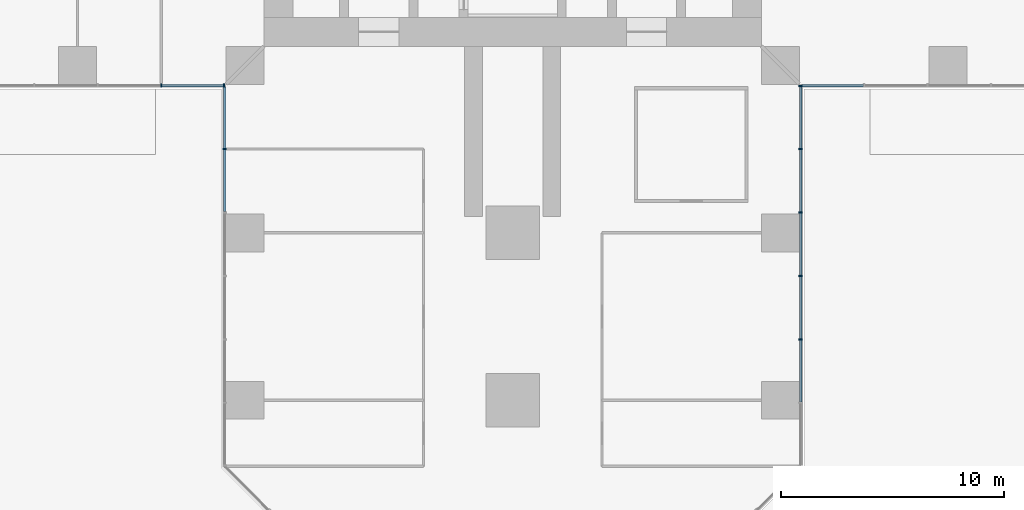
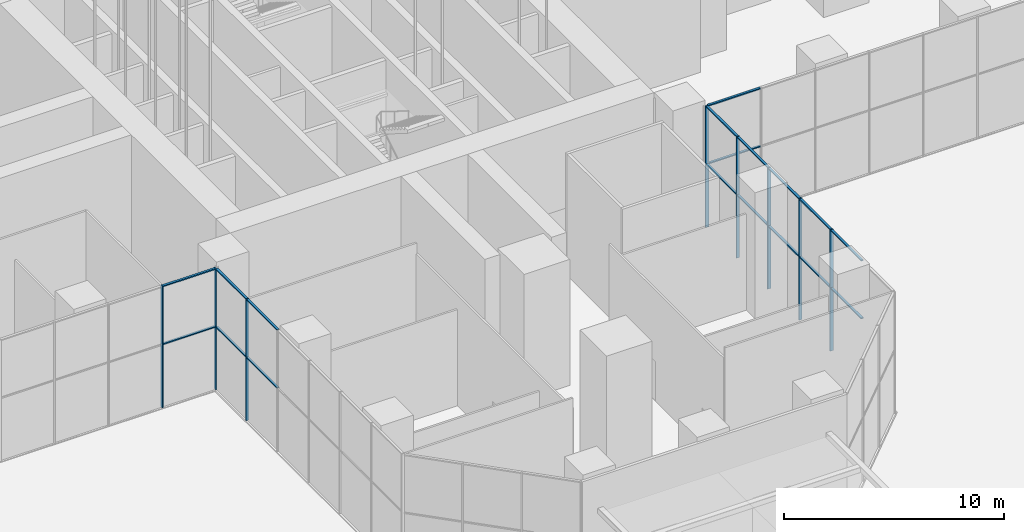
# One storey, part 6 of 43: 26 members, 4 elements without a shape of their own.
"""IFC4 building model written with IfcOpenShell, lengths in metres."""

from ifc_helpers import new_model, si_unit, direction, frame, origin, origin_2d, place, context, subcontext, project, spatial, rectangle, extrude, material, material_profile, profile_set, type_object, element, aggregate, save


model = new_model("IFC4")

# Units and contexts
model_context = context("Model", 3, precision=1e-05, world=origin(), true_north=direction((0.0, 1.0)))
body_context = subcontext(model_context, "Body", "Model", "MODEL_VIEW")
ifc_project = project(units=[si_unit("LENGTHUNIT", "METRE"), si_unit("AREAUNIT", "SQUARE_METRE"), si_unit("VOLUMEUNIT", "CUBIC_METRE"), si_unit("PLANEANGLEUNIT", "RADIAN"), si_unit("MASSUNIT", "GRAM", prefix="KILO")], contexts=[model_context])

# Site, building, storey
site_placement = place(None, origin())
site = spatial("IfcSite", under=ifc_project, at=site_placement, CompositionType="ELEMENT")
building_placement = place(site_placement, origin())
building = spatial("IfcBuilding", under=site, at=building_placement, Name="Mizan Broadcast Tower", CompositionType="ELEMENT")
storey_placement = place(building_placement, origin())
storey = spatial("IfcBuildingStorey", under=building, at=storey_placement, Name="L00", CompositionType="ELEMENT", Elevation=0.0)

# Curtain wall, members
ifc_material_1 = material(Name="Aluminium framed glazing", Category="aluminium")
curtain_wall_type_1 = type_object("IfcCurtainWallType", Name="PODIUM CURTAIN WALL", PredefinedType="USERDEFINED", material=ifc_material_1)
curtain_wall_1_placement = place(storey_placement, origin())
curtain_wall_1 = element("IfcCurtainWall", 1, at=curtain_wall_1_placement, inside=storey, type_object=curtain_wall_type_1, Name="Podium curtain wall L00 W side", ObjectType="PODIUM CURTAIN WALL", PredefinedType="USERDEFINED")
ifc_material_2 = material(Name="Aluminium, pale anodised", Category="aluminium")
ifc_material_profile_1 = material_profile(ifc_material_2, rectangle(XDim=0.159912109375, YDim=0.06005859375, at=origin_2d()), Name="MULLION 160x60")
ifc_profile_set_1 = profile_set([ifc_material_profile_1], Name="Aluminium, pale anodised")
member_type_1 = type_object("IfcMemberType", Name="INNER SKIN MULLION 60x160", PredefinedType="MULLION", material=ifc_profile_set_1)
member_1_placement = place(storey_placement, frame((-15.7431640625, -12.89990234375, 0.0), z_axis=(0.0, 0.0, 1.0), x_axis=(0.0, 1.0, 0.0)))
member_1 = element("IfcMember", 2, at=member_1_placement, type_object=member_type_1, Name="Podium curtain wall L00 W side mullion 6", PredefinedType="MULLION", context=body_context, shape_type="SweptSolid", body=[
    extrude(rectangle(XDim=0.159912109375, YDim=0.06005859375, at=origin_2d()), origin(), (0.0, 0.0, 1.0), 6.75),
])
member_2_placement = place(storey_placement, frame((-12.929931640625, -12.89990234375, 0.0), z_axis=(0.0, 0.0, 1.0), x_axis=(0.0, 1.0, 0.0)))
member_2 = element("IfcMember", 3, at=member_2_placement, type_object=member_type_1, Name="Podium curtain wall L00 W side mullion 7", PredefinedType="MULLION", context=body_context, shape_type="SweptSolid", body=[
    extrude(rectangle(XDim=0.159912109375, YDim=0.06005859375, at=origin_2d()), origin(), (0.0, 0.0, 1.0), 6.75),
])

# Curtain wall, member
ifc_material_3 = material(Name="Aluminium framed glazing", Category="aluminium")
curtain_wall_type_2 = type_object("IfcCurtainWallType", Name="ENTRANCE CW", PredefinedType="USERDEFINED", material=ifc_material_3)
curtain_wall_2_placement = place(storey_placement, origin())
curtain_wall_2 = element("IfcCurtainWall", 4, at=curtain_wall_2_placement, inside=storey, type_object=curtain_wall_type_2, Name="Entrance cw L00 S side", ObjectType="ENTRANCE CW", PredefinedType="USERDEFINED")
member_3_placement = place(storey_placement, frame((-12.89990234375, -15.7431640625, 0.0), z_axis=(0.0, 0.0, 1.0), x_axis=(1.0, 0.0, 0.0)))
member_3 = element("IfcMember", 5, at=member_3_placement, type_object=member_type_1, Name="Entrance cw L00 S side mullion 2", PredefinedType="MULLION", context=body_context, shape_type="SweptSolid", body=[
    extrude(rectangle(XDim=0.159912109375, YDim=0.06005859375, at=origin_2d()), origin(), (0.0, 0.0, 1.0), 6.75),
])

# Curtain wall, members
curtain_wall_3_placement = place(storey_placement, origin())
curtain_wall_3 = element("IfcCurtainWall", 6, at=curtain_wall_3_placement, inside=storey, type_object=curtain_wall_type_2, Name="Entrance cw L00 S side", ObjectType="ENTRANCE CW", PredefinedType="USERDEFINED")
member_4_placement = place(storey_placement, frame((12.89990234375, -24.2724609375, 0.0), z_axis=(0.0, 0.0, 1.0), x_axis=(-1.0, 0.0, 0.0)))
member_4 = element("IfcMember", 7, at=member_4_placement, type_object=member_type_1, Name="Entrance cw L00 S side mullion 3", PredefinedType="MULLION", context=body_context, shape_type="SweptSolid", body=[
    extrude(rectangle(XDim=0.159912109375, YDim=0.06005859375, at=origin_2d()), origin(), (0.0, 0.0, 1.0), 6.75),
])
member_5_placement = place(storey_placement, frame((12.89990234375, -21.42919921875, 0.0), z_axis=(0.0, 0.0, 1.0), x_axis=(-1.0, 0.0, 0.0)))
member_5 = element("IfcMember", 8, at=member_5_placement, type_object=member_type_1, Name="Entrance cw L00 S side mullion 4", PredefinedType="MULLION", context=body_context, shape_type="SweptSolid", body=[
    extrude(rectangle(XDim=0.159912109375, YDim=0.06005859375, at=origin_2d()), origin(), (0.0, 0.0, 1.0), 6.75),
])
member_6_placement = place(storey_placement, frame((12.89990234375, -18.586181640625, 0.0), z_axis=(0.0, 0.0, 1.0), x_axis=(-1.0, 0.0, 0.0)))
member_6 = element("IfcMember", 9, at=member_6_placement, type_object=member_type_1, Name="Entrance cw L00 S side mullion 5", PredefinedType="MULLION", context=body_context, shape_type="SweptSolid", body=[
    extrude(rectangle(XDim=0.159912109375, YDim=0.06005859375, at=origin_2d()), origin(), (0.0, 0.0, 1.0), 6.75),
])
member_7_placement = place(storey_placement, frame((12.89990234375, -15.7431640625, 0.0), z_axis=(0.0, 0.0, 1.0), x_axis=(-1.0, 0.0, 0.0)))
member_7 = element("IfcMember", 10, at=member_7_placement, type_object=member_type_1, Name="Entrance cw L00 S side mullion 6", PredefinedType="MULLION", context=body_context, shape_type="SweptSolid", body=[
    extrude(rectangle(XDim=0.159912109375, YDim=0.06005859375, at=origin_2d()), origin(), (0.0, 0.0, 1.0), 6.75),
])
member_8_placement = place(storey_placement, frame((12.89990234375, -12.929931640625, 0.0), z_axis=(0.0, 0.0, 1.0), x_axis=(-1.0, 0.0, 0.0)))
member_8 = element("IfcMember", 11, at=member_8_placement, type_object=member_type_1, Name="Entrance cw L00 S side mullion 7", PredefinedType="MULLION", context=body_context, shape_type="SweptSolid", body=[
    extrude(rectangle(XDim=0.159912109375, YDim=0.06005859375, at=origin_2d()), origin(), (0.0, 0.0, 1.0), 6.75),
])

curtain_wall_4_placement = place(storey_placement, origin())
curtain_wall_4 = element("IfcCurtainWall", 12, at=curtain_wall_4_placement, inside=storey, type_object=curtain_wall_type_1, Name="Podium curtain wall L00 E side", ObjectType="PODIUM CURTAIN WALL", PredefinedType="USERDEFINED")
ifc_material_4 = material(Name="Aluminium, pale anodised", Category="aluminium")
ifc_material_profile_2 = material_profile(ifc_material_4, rectangle(XDim=0.1201171875, YDim=0.06005859375, at=origin_2d()), Name="TRANSOM 120x60")
ifc_profile_set_2 = profile_set([ifc_material_profile_2], Name="Aluminium, pale anodised")
member_type_2 = type_object("IfcMemberType", Name="INNER SKIN TRANSOM 60x120", PredefinedType="USERDEFINED", material=ifc_profile_set_2)
member_9_placement = place(storey_placement, frame((12.9599609375, -12.89990234375, 3.5), z_axis=(1.0, 0.0, 0.0), x_axis=(0.0, 1.0, 0.0)))
member_9 = element("IfcMember", 13, at=member_9_placement, type_object=member_type_2, Name="Podium curtain wall L00 E side transom 1.1", ObjectType="TRANSOM", PredefinedType="USERDEFINED", context=body_context, shape_type="SweptSolid", body=[
    extrude(rectangle(XDim=0.1201171875, YDim=0.06005859375, at=origin_2d()), origin(), (0.0, 0.0, 1.0), 2.753173828125),
])
member_10_placement = place(storey_placement, frame((12.9599609375, -12.89990234375, 6.719970703125), z_axis=(1.0, 0.0, 0.0), x_axis=(0.0, 1.0, 0.0)))
member_10 = element("IfcMember", 14, at=member_10_placement, type_object=member_type_2, Name="Podium curtain wall L00 E side transom 1.2", ObjectType="TRANSOM", PredefinedType="USERDEFINED", context=body_context, shape_type="SweptSolid", body=[
    extrude(rectangle(XDim=0.1201171875, YDim=0.06005859375, at=origin_2d()), origin(), (0.0, 0.0, 1.0), 2.753173828125),
])
aggregate(curtain_wall_4, [member_9, member_10])

# Member
member_11_placement = place(storey_placement, frame((-15.713134765625, -12.89990234375, 3.5), z_axis=(1.0, 0.0, 0.0), x_axis=(0.0, 1.0, 0.0)))
member_11 = element("IfcMember", 15, at=member_11_placement, type_object=member_type_2, Name="Podium curtain wall L00 W side transom 6.1", ObjectType="TRANSOM", PredefinedType="USERDEFINED", context=body_context, shape_type="SweptSolid", body=[
    extrude(rectangle(XDim=0.1201171875, YDim=0.06005859375, at=origin_2d()), origin(), (0.0, 0.0, 1.0), 2.753173828125),
])

member_12_placement = place(storey_placement, frame((-15.713134765625, -12.89990234375, 6.719970703125), z_axis=(1.0, 0.0, 0.0), x_axis=(0.0, 1.0, 0.0)))
member_12 = element("IfcMember", 16, at=member_12_placement, type_object=member_type_2, Name="Podium curtain wall L00 W side transom 6.2", ObjectType="TRANSOM", PredefinedType="USERDEFINED", context=body_context, shape_type="SweptSolid", body=[
    extrude(rectangle(XDim=0.1201171875, YDim=0.06005859375, at=origin_2d()), origin(), (0.0, 0.0, 1.0), 2.753173828125),
])

aggregate(curtain_wall_1, [member_1, member_2, member_11, member_12])

member_13_placement = place(storey_placement, frame((-12.89990234375, -12.9599609375, 3.5), z_axis=(0.0, -1.0, 0.0), x_axis=(1.0, 0.0, 0.0)))
member_13 = element("IfcMember", 17, at=member_13_placement, type_object=member_type_2, Name="Entrance cw L00 S side transom 1.1", ObjectType="TRANSOM", PredefinedType="USERDEFINED", context=body_context, shape_type="SweptSolid", body=[
    extrude(rectangle(XDim=0.1201171875, YDim=0.06005859375, at=origin_2d()), origin(), (0.0, 0.0, 1.0), 2.753173828125),
])

member_14_placement = place(storey_placement, frame((-12.89990234375, -12.9599609375, 6.719970703125), z_axis=(0.0, -1.0, 0.0), x_axis=(1.0, 0.0, 0.0)))
member_14 = element("IfcMember", 18, at=member_14_placement, type_object=member_type_2, Name="Entrance cw L00 S side transom 1.2", ObjectType="TRANSOM", PredefinedType="USERDEFINED", context=body_context, shape_type="SweptSolid", body=[
    extrude(rectangle(XDim=0.1201171875, YDim=0.06005859375, at=origin_2d()), origin(), (0.0, 0.0, 1.0), 2.753173828125),
])

member_15_placement = place(storey_placement, frame((-12.89990234375, -15.773193359375, 3.5), z_axis=(0.0, -1.0, 0.0), x_axis=(1.0, 0.0, 0.0)))
member_15 = element("IfcMember", 19, at=member_15_placement, type_object=member_type_2, Name="Entrance cw L00 S side transom 2.1", ObjectType="TRANSOM", PredefinedType="USERDEFINED", context=body_context, shape_type="SweptSolid", body=[
    extrude(rectangle(XDim=0.1201171875, YDim=0.06005859375, at=origin_2d()), origin(), (0.0, 0.0, 1.0), 2.782958984375),
])

member_16_placement = place(storey_placement, frame((-12.89990234375, -15.773193359375, 6.719970703125), z_axis=(0.0, -1.0, 0.0), x_axis=(1.0, 0.0, 0.0)))
member_16 = element("IfcMember", 20, at=member_16_placement, type_object=member_type_2, Name="Entrance cw L00 S side transom 2.2", ObjectType="TRANSOM", PredefinedType="USERDEFINED", context=body_context, shape_type="SweptSolid", body=[
    extrude(rectangle(XDim=0.1201171875, YDim=0.06005859375, at=origin_2d()), origin(), (0.0, 0.0, 1.0), 2.782958984375),
])

aggregate(curtain_wall_2, [member_3, member_13, member_14, member_15, member_16])

member_17_placement = place(storey_placement, frame((12.89990234375, -27.08544921875, 3.5), z_axis=(0.0, 1.0, 0.0), x_axis=(-1.0, 0.0, 0.0)))
member_17 = element("IfcMember", 21, at=member_17_placement, type_object=member_type_2, Name="Entrance cw L00 S side transom 2.1", ObjectType="TRANSOM", PredefinedType="USERDEFINED", context=body_context, shape_type="SweptSolid", body=[
    extrude(rectangle(XDim=0.1201171875, YDim=0.06005859375, at=origin_2d()), origin(), (0.0, 0.0, 1.0), 2.782958984375),
])

member_18_placement = place(storey_placement, frame((12.89990234375, -27.08544921875, 6.719970703125), z_axis=(0.0, 1.0, 0.0), x_axis=(-1.0, 0.0, 0.0)))
member_18 = element("IfcMember", 22, at=member_18_placement, type_object=member_type_2, Name="Entrance cw L00 S side transom 2.2", ObjectType="TRANSOM", PredefinedType="USERDEFINED", context=body_context, shape_type="SweptSolid", body=[
    extrude(rectangle(XDim=0.1201171875, YDim=0.06005859375, at=origin_2d()), origin(), (0.0, 0.0, 1.0), 2.782958984375),
])

member_19_placement = place(storey_placement, frame((12.89990234375, -24.242431640625, 3.5), z_axis=(0.0, 1.0, 0.0), x_axis=(-1.0, 0.0, 0.0)))
member_19 = element("IfcMember", 23, at=member_19_placement, type_object=member_type_2, Name="Entrance cw L00 S side transom 3.1", ObjectType="TRANSOM", PredefinedType="USERDEFINED", context=body_context, shape_type="SweptSolid", body=[
    extrude(rectangle(XDim=0.1201171875, YDim=0.06005859375, at=origin_2d()), origin(), (0.0, 0.0, 1.0), 2.783203125),
])

member_20_placement = place(storey_placement, frame((12.89990234375, -24.242431640625, 6.719970703125), z_axis=(0.0, 1.0, 0.0), x_axis=(-1.0, 0.0, 0.0)))
member_20 = element("IfcMember", 24, at=member_20_placement, type_object=member_type_2, Name="Entrance cw L00 S side transom 3.2", ObjectType="TRANSOM", PredefinedType="USERDEFINED", context=body_context, shape_type="SweptSolid", body=[
    extrude(rectangle(XDim=0.1201171875, YDim=0.06005859375, at=origin_2d()), origin(), (0.0, 0.0, 1.0), 2.783203125),
])

member_21_placement = place(storey_placement, frame((12.89990234375, -21.399169921875, 3.5), z_axis=(0.0, 1.0, 0.0), x_axis=(-1.0, 0.0, 0.0)))
member_21 = element("IfcMember", 25, at=member_21_placement, type_object=member_type_2, Name="Entrance cw L00 S side transom 4.1", ObjectType="TRANSOM", PredefinedType="USERDEFINED", context=body_context, shape_type="SweptSolid", body=[
    extrude(rectangle(XDim=0.1201171875, YDim=0.06005859375, at=origin_2d()), origin(), (0.0, 0.0, 1.0), 2.782958984375),
])

member_22_placement = place(storey_placement, frame((12.89990234375, -21.399169921875, 6.719970703125), z_axis=(0.0, 1.0, 0.0), x_axis=(-1.0, 0.0, 0.0)))
member_22 = element("IfcMember", 26, at=member_22_placement, type_object=member_type_2, Name="Entrance cw L00 S side transom 4.2", ObjectType="TRANSOM", PredefinedType="USERDEFINED", context=body_context, shape_type="SweptSolid", body=[
    extrude(rectangle(XDim=0.1201171875, YDim=0.06005859375, at=origin_2d()), origin(), (0.0, 0.0, 1.0), 2.782958984375),
])

member_23_placement = place(storey_placement, frame((12.89990234375, -18.55615234375, 3.5), z_axis=(0.0, 1.0, 0.0), x_axis=(-1.0, 0.0, 0.0)))
member_23 = element("IfcMember", 27, at=member_23_placement, type_object=member_type_2, Name="Entrance cw L00 S side transom 5.1", ObjectType="TRANSOM", PredefinedType="USERDEFINED", context=body_context, shape_type="SweptSolid", body=[
    extrude(rectangle(XDim=0.1201171875, YDim=0.06005859375, at=origin_2d()), origin(), (0.0, 0.0, 1.0), 2.782958984375),
])

member_24_placement = place(storey_placement, frame((12.89990234375, -18.55615234375, 6.719970703125), z_axis=(0.0, 1.0, 0.0), x_axis=(-1.0, 0.0, 0.0)))
member_24 = element("IfcMember", 28, at=member_24_placement, type_object=member_type_2, Name="Entrance cw L00 S side transom 5.2", ObjectType="TRANSOM", PredefinedType="USERDEFINED", context=body_context, shape_type="SweptSolid", body=[
    extrude(rectangle(XDim=0.1201171875, YDim=0.06005859375, at=origin_2d()), origin(), (0.0, 0.0, 1.0), 2.782958984375),
])

member_25_placement = place(storey_placement, frame((12.89990234375, -15.713134765625, 3.5), z_axis=(0.0, 1.0, 0.0), x_axis=(-1.0, 0.0, 0.0)))
member_25 = element("IfcMember", 29, at=member_25_placement, type_object=member_type_2, Name="Entrance cw L00 S side transom 6.1", ObjectType="TRANSOM", PredefinedType="USERDEFINED", context=body_context, shape_type="SweptSolid", body=[
    extrude(rectangle(XDim=0.1201171875, YDim=0.06005859375, at=origin_2d()), origin(), (0.0, 0.0, 1.0), 2.753173828125),
])

member_26_placement = place(storey_placement, frame((12.89990234375, -15.713134765625, 6.719970703125), z_axis=(0.0, 1.0, 0.0), x_axis=(-1.0, 0.0, 0.0)))
member_26 = element("IfcMember", 30, at=member_26_placement, type_object=member_type_2, Name="Entrance cw L00 S side transom 6.2", ObjectType="TRANSOM", PredefinedType="USERDEFINED", context=body_context, shape_type="SweptSolid", body=[
    extrude(rectangle(XDim=0.1201171875, YDim=0.06005859375, at=origin_2d()), origin(), (0.0, 0.0, 1.0), 2.753173828125),
])

aggregate(curtain_wall_3, [member_4, member_5, member_6, member_7, member_8, member_17, member_18, member_19, member_20, member_21, member_22, member_23, member_24, member_25, member_26])

save(model, "model.ifc")
